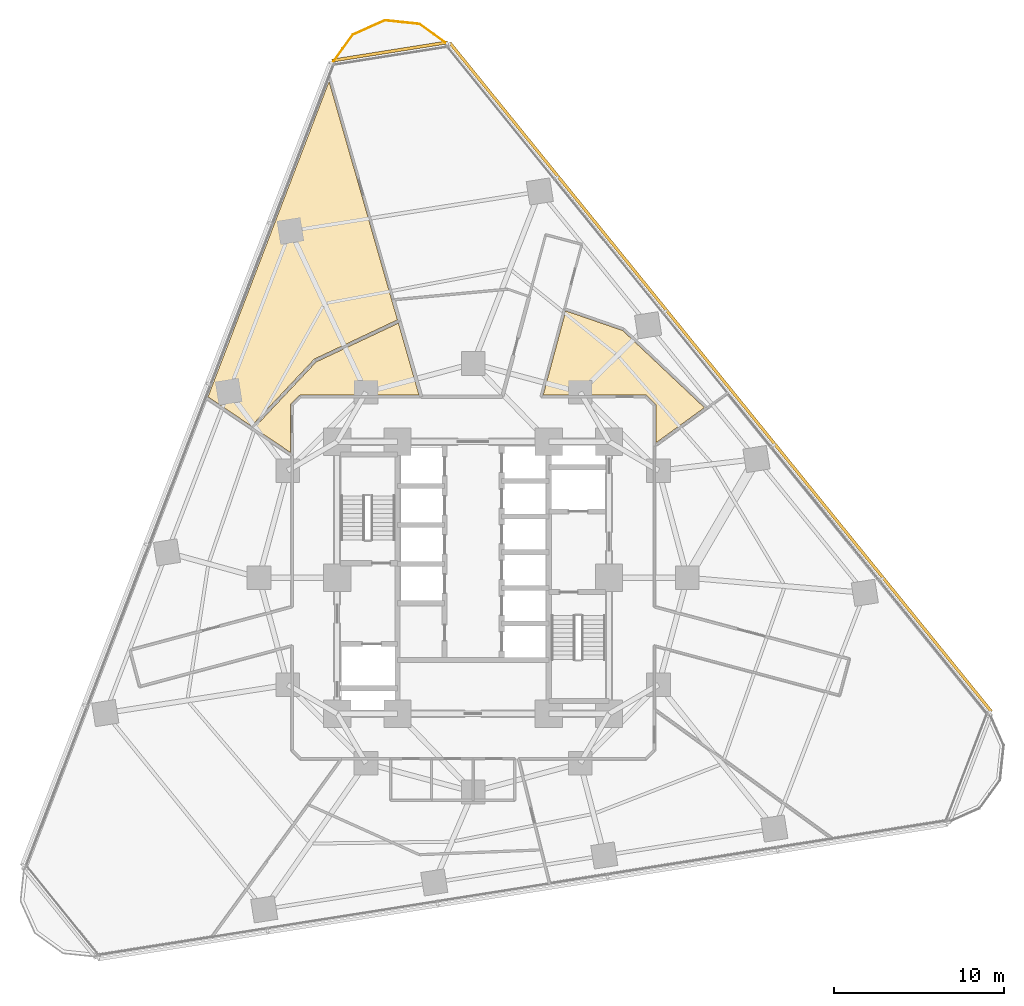
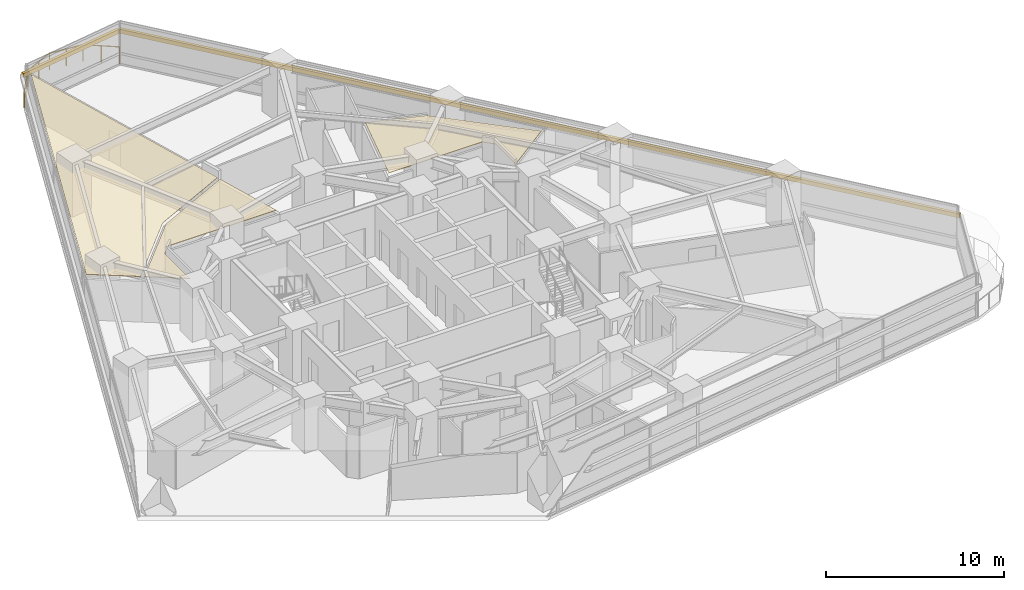
# One storey, part 13 of 13: 3 coverings, 2 shading devices, 1 railing.
"""IFC4 building model written with IfcOpenShell, lengths in metres."""

import ifcopenshell
import ifcopenshell.guid

model = None  # the IFC model being written
_history = None  # IfcOwnerHistory: only IFC2X3 demands one
_inside = {}  # id of a spatial element -> (the spatial element, [elements in it])
_under = {}  # id of a project, library or spatial element -> (it, [spatial elements below it])
_declared = {}  # id of a project -> (the project, [libraries it declares])
_typed = {}  # id of a type object -> (the type object, [elements of that type])
_made_of = {}  # id of a material, layer set ... -> (it, [elements and type objects made of it])


def new_model(schema):
    """Start an empty IFC model of exactly this schema.

    Asked for "IFC4X3", IfcOpenShell would pick the latest addendum, in which some entities
    have other attributes; the version numbers below select the first issue.
    IFC2X3 requires an IfcOwnerHistory on every rooted entity: one is made here for all.
    """
    global model, _history
    if schema == "IFC4X3":
        model = ifcopenshell.file(schema_version=(4, 3, 0, 0))
    else:
        model = ifcopenshell.file(schema=schema)
    _inside.clear()
    _under.clear()
    _declared.clear()
    _typed.clear()
    _made_of.clear()
    _history = None
    if model.schema == "IFC2X3":
        org = make("IfcOrganization", Name="unknown")
        user = make(
            "IfcPersonAndOrganization",
            ThePerson=make("IfcPerson", FamilyName="unknown"),
            TheOrganization=org,
        )
        app = make(
            "IfcApplication",
            ApplicationDeveloper=org,
            Version="unknown",
            ApplicationFullName="unknown",
            ApplicationIdentifier="unknown",
        )
        _history = make(
            "IfcOwnerHistory",
            OwningUser=user,
            OwningApplication=app,
            ChangeAction="ADDED",
            CreationDate=0,
        )
    return model


def make(cls, **values):
    """One entity of the class cls with the attributes given. An attribute that is None is left unset."""
    return model.create_entity(
        cls, **{name: value for name, value in values.items() if value is not None}
    )


def rooted(cls, **values):
    """An entity with a GlobalId (a new one), such as an element, a storey or a relation."""
    return make(cls, GlobalId=ifcopenshell.guid.new(), OwnerHistory=_history, **values)


def si_unit(unit_type, name, prefix=None):
    """IfcSIUnit, for example si_unit("LENGTHUNIT", "METRE", prefix="MILLI")."""
    return make("IfcSIUnit", UnitType=unit_type, Prefix=prefix, Name=name)


def assignment(units):
    """IfcUnitAssignment: the units of a project."""
    return None if units is None else make("IfcUnitAssignment", Units=units)


def point(xyz):
    """IfcCartesianPoint."""
    return None if xyz is None else make("IfcCartesianPoint", Coordinates=xyz)


def direction(xyz):
    """IfcDirection."""
    return None if xyz is None else make("IfcDirection", DirectionRatios=xyz)


def frame(location, z_axis=None, x_axis=None):
    """IfcAxis2Placement3D, a coordinate frame: its origin and axes. An axis left out is left unset."""
    return make(
        "IfcAxis2Placement3D",
        Location=point(location),
        Axis=direction(z_axis),
        RefDirection=direction(x_axis),
    )


def frame_2d(location, x_axis=None):
    """IfcAxis2Placement2D, a coordinate frame in the plane: its origin and x axis."""
    return make(
        "IfcAxis2Placement2D", Location=point(location), RefDirection=direction(x_axis)
    )


def origin():
    """The frame at (0, 0, 0) with its axes left unset."""
    return frame((0.0, 0.0, 0.0))


def origin_2d():
    """The frame at (0, 0) in the plane with its x axis left unset."""
    return frame_2d((0.0, 0.0))


def place(relative_to, where):
    """IfcLocalPlacement: puts the frame where relative to a parent placement (None: the world)."""
    return make(
        "IfcLocalPlacement", PlacementRelTo=relative_to, RelativePlacement=where
    )


def context(
    kind, dimensions, precision=None, world=None, true_north=None, identifier=None
):
    """IfcGeometricRepresentationContext, for example the 3D "Model" context."""
    return make(
        "IfcGeometricRepresentationContext",
        ContextIdentifier=identifier,
        ContextType=kind,
        CoordinateSpaceDimension=dimensions,
        Precision=precision,
        WorldCoordinateSystem=world,
        TrueNorth=true_north,
    )


def subcontext(parent, identifier, kind, view, scale=None):
    """IfcGeometricRepresentationSubContext, for example "Body" below "Model"."""
    return make(
        "IfcGeometricRepresentationSubContext",
        ContextIdentifier=identifier,
        ContextType=kind,
        ParentContext=parent,
        TargetScale=scale,
        TargetView=view,
    )


def project(units=None, contexts=None):
    """IfcProject with its units and contexts."""
    return rooted(
        "IfcProject",
        Name="project",
        RepresentationContexts=contexts,
        UnitsInContext=assignment(units),
    )


def spatial(cls, under=None, at=None, **own):
    """A site, building, storey or space (cls), placed at a placement, below another one or the project."""
    s = rooted(cls, ObjectPlacement=at, **own)
    if under is not None:
        _under.setdefault(under.id(), (under, []))[1].append(s)
    return s


def polyline(points):
    """IfcPolyline through the points."""
    return make("IfcPolyline", Points=[point(p) for p in points])


def profile(cls, at=None, kind="AREA", **sizes):
    """A parametric profile (cls). Its sizes go by their IFC names, for example OverallWidth=200.0."""
    return make(cls, ProfileType=kind, Position=at, **sizes)


def rectangle(**sizes):
    """IfcRectangleProfileDef."""
    return profile("IfcRectangleProfileDef", **sizes)


def circle(**sizes):
    """IfcCircleProfileDef."""
    return profile("IfcCircleProfileDef", **sizes)


def outline(outer, holes=None, kind="AREA"):
    """IfcArbitraryClosedProfileDef: a profile drawn as a closed curve; with holes, ...WithVoids."""
    if holes is None:
        return make("IfcArbitraryClosedProfileDef", ProfileType=kind, OuterCurve=outer)
    return make(
        "IfcArbitraryProfileDefWithVoids",
        ProfileType=kind,
        OuterCurve=outer,
        InnerCurves=holes,
    )


def extrude(swept, where, along, depth):
    """IfcExtrudedAreaSolid: the profile swept, set in the frame where, extruded along a direction by depth."""
    return make(
        "IfcExtrudedAreaSolid",
        SweptArea=swept,
        Position=where,
        ExtrudedDirection=direction(along),
        Depth=depth,
    )


def shape(context_of_items, identifier, shape_type, items):
    """IfcShapeRepresentation: the items that make up one representation, for example the "Body"."""
    return make(
        "IfcShapeRepresentation",
        ContextOfItems=context_of_items,
        RepresentationIdentifier=identifier,
        RepresentationType=shape_type,
        Items=items,
    )


def material(Name=None, Category=None):
    """IfcMaterial."""
    return make("IfcMaterial", Name=Name, Category=Category)


def layer(
    of_material, thickness, ventilated=None, Name=None, Category=None, Priority=None
):
    """IfcMaterialLayer: one layer of a wall or slab, of a material (None: an air gap)."""
    return make(
        "IfcMaterialLayer",
        Material=of_material,
        LayerThickness=thickness,
        IsVentilated=ventilated,
        Name=Name,
        Category=Category,
        Priority=Priority,
    )


def layer_set(layers, Name=None):
    """IfcMaterialLayerSet."""
    return make("IfcMaterialLayerSet", MaterialLayers=layers, LayerSetName=Name)


def made_of(thing, what):
    """Note that an element or type object is made of a material, layer set ...; save() writes the relation."""
    if what is not None:
        _made_of.setdefault(what.id(), (what, []))[1].append(thing)
    return thing


def type_object(cls, material=None, **own):
    """A type object (cls), such as IfcWallType, which elements share."""
    return made_of(rooted(cls, **own), material)


def element(
    cls,
    number,
    at=None,
    inside=None,
    cuts=None,
    type_object=None,
    material=None,
    context=None,
    identifier="Body",
    shape_type=None,
    held_by="IfcProductDefinitionShape",
    body=None,
    shapes=None,
    **own,
):
    """One element of the class cls, such as IfcWall. Its Tag is "e" and its number.

    at: its placement. inside: the storey or other place that contains it. cuts: it is an
    opening in that element (IfcRelVoidsElement). A single representation is given by context,
    identifier, shape_type and body (its items); several are given by shapes. held_by: the class
    of the entity that holds the representations. save() writes the other relations.
    """
    e = rooted(cls, Tag="e%d" % number, ObjectPlacement=at, **own)
    if body is not None:
        shapes = [shape(context, identifier, shape_type, body)]
    if shapes is not None:
        e.Representation = make(held_by, Representations=shapes)
    if inside is not None:
        _inside.setdefault(inside.id(), (inside, []))[1].append(e)
    if cuts is not None:
        rooted(
            "IfcRelVoidsElement", RelatingBuildingElement=cuts, RelatedOpeningElement=e
        )
    if type_object is not None:
        _typed.setdefault(type_object.id(), (type_object, []))[1].append(e)
    return made_of(e, material)


def aggregate(whole, parts):
    """IfcRelAggregates: a whole, such as a stair, and the parts it consists of."""
    return rooted("IfcRelAggregates", RelatingObject=whole, RelatedObjects=parts)


def save(model, path):
    """Write the relations noted so far, then the file.

    IfcRelAggregates (storeys below a building ...), IfcRelContainedInSpatialStructure (elements
    in a storey), IfcRelDefinesByType, IfcRelAssociatesMaterial and IfcRelDeclares: one each for
    every whole, place, type object, material and project.
    """
    for whole, parts in _under.values():
        aggregate(whole, parts)
    for where, things in _inside.values():
        rooted(
            "IfcRelContainedInSpatialStructure",
            RelatedElements=things,
            RelatingStructure=where,
        )
    for kind, things in _typed.values():
        rooted("IfcRelDefinesByType", RelatedObjects=things, RelatingType=kind)
    for what, things in _made_of.values():
        rooted("IfcRelAssociatesMaterial", RelatedObjects=things, RelatingMaterial=what)
    for by, libraries in _declared.values():
        rooted("IfcRelDeclares", RelatingContext=by, RelatedDefinitions=libraries)
    model.write(path)


model = new_model("IFC4")

# Units and contexts
model_context = context("Model", 3, precision=1e-05, world=origin(), true_north=direction((0.0, 1.0)))
body_context = subcontext(model_context, "Body", "Model", "MODEL_VIEW")
ifc_project = project(units=[si_unit("LENGTHUNIT", "METRE"), si_unit("AREAUNIT", "SQUARE_METRE"), si_unit("VOLUMEUNIT", "CUBIC_METRE"), si_unit("PLANEANGLEUNIT", "RADIAN"), si_unit("MASSUNIT", "GRAM", prefix="KILO")], contexts=[model_context])

# Site, building, storey
site_placement = place(None, origin())
site = spatial("IfcSite", under=ifc_project, at=site_placement, CompositionType="ELEMENT")
building_placement = place(site_placement, origin())
building = spatial("IfcBuilding", under=site, at=building_placement, Name="Terralouvre Media Tower", CompositionType="ELEMENT")
storey_placement = place(building_placement, frame((0.0, 0.0, 59.300048828125)))
storey = spatial("IfcBuildingStorey", under=building, at=storey_placement, Name="L14", CompositionType="ELEMENT", Elevation=59.300048828125)

# Coverings
ifc_material_1 = material(Name="Perforated aluminium acoustic ceiling baffle", Category="aluminium")
ifc_layer_1 = layer(ifc_material_1, 0.0400390625, Name="Perforated Acoustic Metal Tile Ceiling CL-AC1")
ifc_layer_set_1 = layer_set([ifc_layer_1], Name="Perforated aluminium acoustic ceiling baffle")
covering_type = type_object("IfcCoveringType", Name="Perforated Acoustic Metal Tile Ceiling CL-AC1", PredefinedType="CEILING", material=ifc_layer_set_1)
covering_1_placement = place(storey_placement, frame((0.0, 0.0, 2.97998046875), z_axis=(0.0, 0.0, 1.0), x_axis=(0.987688340595, 0.15643446504, 0.0)))
element("IfcCovering", 1, at=covering_1_placement, inside=storey, type_object=covering_type, Name="L14 Staff Quiet Reading Club 3 Acoustic Ceiling", PredefinedType="CEILING", context=body_context, shape_type="SweptSolid", body=[
    extrude(outline(polyline([(10.964111328125, 12.9892578125), (7.83740234375, 14.65185546875), (5.753173828125, 9.972900390625), (11.706787109375, 9.02978515625), (11.71630859375, 9.02783203125), (11.7255859375, 9.02490234375), (11.734619140625, 9.02099609375), (11.743408203125, 9.016357421875), (11.75146484375, 9.0107421875), (11.759033203125, 9.00439453125), (11.765869140625, 8.99755859375), (11.77197265625, 8.98974609375), (12.1875, 8.417724609375), (12.19287109375, 8.409423828125), (12.197509765625, 8.40087890625), (12.201171875, 8.391845703125), (12.203857421875, 8.38232421875), (12.205810546875, 8.372802734375), (12.20654296875, 8.363037109375), (12.20654296875, 8.35302734375), (12.20556640625, 8.34326171875), (11.85888671875, 6.15478515625), (15.002685546875, 7.756591796875), (10.964111328125, 12.9892578125)])), origin(), (0.0, 0.0, 1.0), 0.0400390625),
])
covering_2_placement = place(storey_placement, frame((0.0, 0.0, 2.97998046875), z_axis=(0.0, 0.0, 1.0), x_axis=(0.987688340595, 0.15643446504, 0.0)))
element("IfcCovering", 2, at=covering_2_placement, inside=storey, type_object=covering_type, Name="L14 Product Roadmap Huddle Room 9 Acoustic Ceiling", PredefinedType="CEILING", context=body_context, shape_type="SweptSolid", body=[
    extrude(outline(polyline([(-7.234375, 14.156494140625), (-7.2265625, 14.161865234375), (-7.218505859375, 14.16650390625), (-7.2099609375, 14.17041015625), (-7.201171875, 14.17333984375), (-2.0263671875, 15.682373046875), (-2.172607421875, 16.87109375), (-3.804443359375, 30.166748046875), (-13.7431640625, 12.95263671875), (-11.49560546875, 10.857421875), (-7.234375, 14.156494140625)])), origin(), (0.0, 0.0, 1.0), 0.0400390625),
])
covering_3_placement = place(storey_placement, frame((0.0, 0.0, 2.97998046875), z_axis=(0.0, 0.0, 1.0), x_axis=(0.987688340595, 0.15643446504, 0.0)))
element("IfcCovering", 3, at=covering_3_placement, inside=storey, type_object=covering_type, Name="L14 QA Testing Workspace 10 Acoustic Ceiling", PredefinedType="CEILING", context=body_context, shape_type="SweptSolid", body=[
    extrude(outline(polyline([(-7.126953125, 13.98681640625), (-11.347412109375, 10.71923828125), (-9.46435546875, 8.962890625), (-9.02978515625, 11.706787109375), (-9.02783203125, 11.71630859375), (-9.02490234375, 11.7255859375), (-9.02099609375, 11.734619140625), (-9.016357421875, 11.743408203125), (-9.0107421875, 11.75146484375), (-9.00439453125, 11.759033203125), (-8.99755859375, 11.765869140625), (-8.98974609375, 11.77197265625), (-8.417724609375, 12.1875), (-8.409423828125, 12.19287109375), (-8.40087890625, 12.197509765625), (-8.391845703125, 12.201171875), (-8.38232421875, 12.203857421875), (-8.372802734375, 12.205810546875), (-8.363037109375, 12.20654296875), (-8.35302734375, 12.20654296875), (-8.34326171875, 12.20556640625), (-1.4658203125, 11.1162109375), (-2.00146484375, 15.481201171875), (-7.126953125, 13.98681640625)])), origin(), (0.0, 0.0, 1.0), 0.0400390625),
])

# Railing
ifc_material_2 = material(Name="Stainless steel 316 handrail and balustrade", Category="steel")
ifc_layer_2 = layer(ifc_material_2, 0.06005859375, Name="Roof Edge Safety Guardrail GR-ROOF1")
ifc_layer_set_2 = layer_set([ifc_layer_2], Name="Stainless steel 316 handrail and balustrade")
railing_type = type_object("IfcRailingType", Name="Roof Edge Safety Guardrail GR-ROOF1", PredefinedType="GUARDRAIL", material=ifc_layer_set_2)
railing_placement = place(storey_placement, frame((-1.47998046875, 31.36669921875, 0.0)))
element("IfcRailing", 4, at=railing_placement, inside=storey, type_object=railing_type, Name="L14 Wind-Corner Perimeter Safety Guardrail C2", PredefinedType="GUARDRAIL", context=body_context, shape_type="SweptSolid", body=[
    extrude(circle(Radius=0.02099609375, at=origin_2d()), frame((0.0, 0.0, 1.12890625), z_axis=(-0.808843708148, 0.588023686419, 0.0), x_axis=(-0.588023686419, -0.808843708148, 0.0)), (0.0, 0.0, 1.0), 2.059814453125),
    extrude(circle(Radius=0.02099609375, at=origin_2d()), frame((-1.666015625, 1.211181640625, 1.12890625), z_axis=(-0.994517140727, 0.104573690763, 0.0), x_axis=(-0.104573690763, -0.994517140727, 0.0)), (0.0, 0.0, 1.0), 2.05908203125),
    extrude(circle(Radius=0.02099609375, at=origin_2d()), frame((-3.7138671875, 1.426513671875, 1.12890625), z_axis=(-0.913542473205, -0.406743346167, 0.0), x_axis=(0.406743346167, -0.913542473205, 0.0)), (0.0, 0.0, 1.0), 2.059326171875),
    extrude(circle(Radius=0.02099609375, at=origin_2d()), frame((-5.59521484375, 0.5888671875, 1.12890625), z_axis=(-0.587544282361, -0.80919201446, 0.0), x_axis=(0.80919201446, -0.587544282361, 0.0)), (0.0, 0.0, 1.0), 2.059814453125),
    extrude(circle(Radius=0.01904296875, at=origin_2d()), origin(), (0.0, 0.0, 1.0), 1.10791015625),
    extrude(circle(Radius=0.01904296875, at=origin_2d()), frame((-0.8330078125, 0.60546875, 0.0)), (0.0, 0.0, 1.0), 1.10791015625),
    extrude(circle(Radius=0.01904296875, at=origin_2d()), frame((-1.666015625, 1.211181640625, 0.0)), (0.0, 0.0, 1.0), 1.10791015625),
    extrude(circle(Radius=0.01904296875, at=origin_2d()), frame((-2.68994140625, 1.31884765625, 0.0)), (0.0, 0.0, 1.0), 1.10791015625),
    extrude(circle(Radius=0.01904296875, at=origin_2d()), frame((-3.7138671875, 1.426513671875, 0.0)), (0.0, 0.0, 1.0), 1.10791015625),
    extrude(circle(Radius=0.01904296875, at=origin_2d()), frame((-4.654541015625, 1.0078125, 0.0)), (0.0, 0.0, 1.0), 1.10791015625),
    extrude(circle(Radius=0.01904296875, at=origin_2d()), frame((-5.59521484375, 0.5888671875, 0.0)), (0.0, 0.0, 1.0), 1.10791015625),
    extrude(circle(Radius=0.01904296875, at=origin_2d()), frame((-6.2001953125, -0.24462890625, 0.0)), (0.0, 0.0, 1.0), 1.10791015625),
    extrude(circle(Radius=0.01904296875, at=origin_2d()), frame((-6.805419921875, -1.077880859375, 0.0)), (0.0, 0.0, 1.0), 1.10791015625),
])

# Shading devices
ifc_material_3 = material(Name="Extruded terracotta baguette sunshade louvres", Category="masonry")
shading_device_type = type_object("IfcShadingDeviceType", Name="Terracotta Baguette Sunshade Louvre Screen TB-LV1", PredefinedType="USERDEFINED", material=ifc_material_3)
shading_device_1_placement = place(storey_placement, frame((14.5625, 11.79248046875, 2.02392578125), z_axis=(0.0, 0.0, 1.0), x_axis=(-0.629320350521, 0.777145994276, 0.0)))
element("IfcShadingDevice", 5, at=shading_device_1_placement, inside=storey, type_object=shading_device_type, Name="CW-L14-F1 Terracotta Baguette Sunshade Louvre", ObjectType="BAGUETTE", PredefinedType="USERDEFINED", context=body_context, shape_type="SweptSolid", body=[
    extrude(rectangle(XDim=50.639892578125, YDim=0.179931640625, at=origin_2d()), origin(), (0.0, 0.0, 1.0), 0.280029296875),
])
shading_device_2_placement = place(storey_placement, frame((-4.90380859375, 30.961181640625, 2.02392578125), z_axis=(0.0, 0.0, 1.0), x_axis=(-0.987688353034, -0.156434386502, 0.0)))
element("IfcShadingDevice", 6, at=shading_device_2_placement, inside=storey, type_object=shading_device_type, Name="CW-L14-C2 Terracotta Baguette Sunshade Louvre", ObjectType="BAGUETTE", PredefinedType="USERDEFINED", context=body_context, shape_type="SweptSolid", body=[
    extrude(rectangle(XDim=6.8935546875, YDim=0.179931640625, at=origin_2d()), origin(), (0.0, 0.0, 1.0), 0.280029296875),
])

save(model, "model.ifc")
